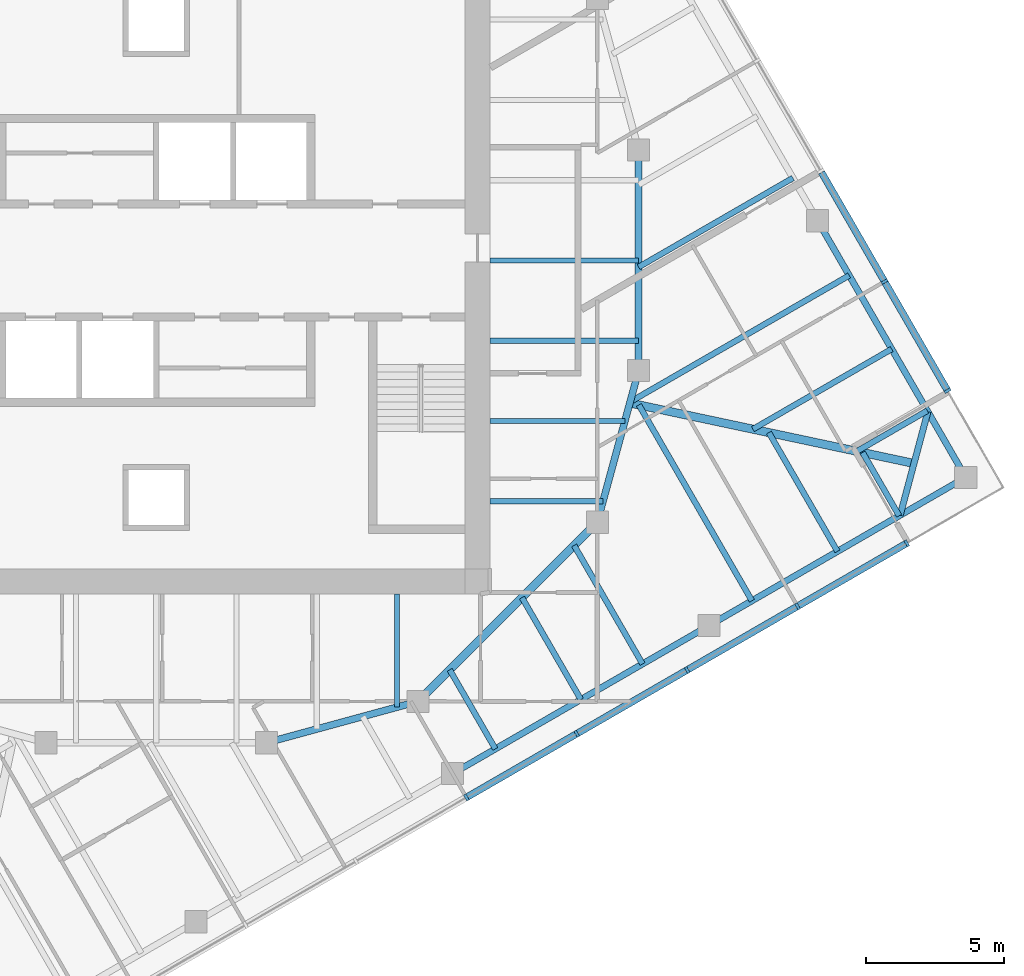
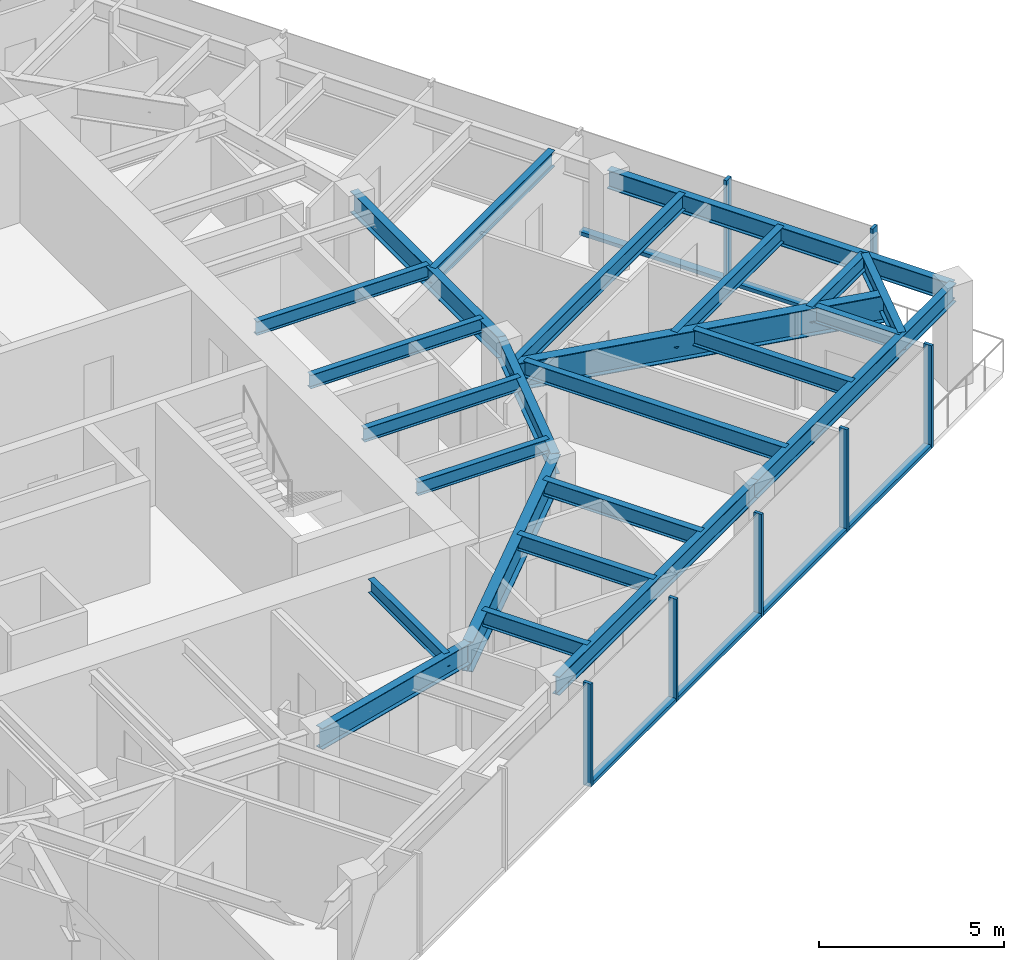
# One storey, part 3 of 12: 24 beams, 13 members, 2 elements without a shape of their own.
"""IFC4 building model written with IfcOpenShell, lengths in metres."""

from ifc_helpers import new_model, si_unit, direction, frame, origin, origin_2d, place, context, subcontext, project, spatial, rectangle, i_section, extrude, material, material_profile, profile_set, type_object, element, aggregate, save


model = new_model("IFC4")

# Units and contexts
model_context = context("Model", 3, precision=1e-05, world=origin(), true_north=direction((0.0, 1.0)))
body_context = subcontext(model_context, "Body", "Model", "MODEL_VIEW")
ifc_project = project(units=[si_unit("LENGTHUNIT", "METRE"), si_unit("AREAUNIT", "SQUARE_METRE"), si_unit("VOLUMEUNIT", "CUBIC_METRE"), si_unit("PLANEANGLEUNIT", "RADIAN"), si_unit("MASSUNIT", "GRAM", prefix="KILO")], contexts=[model_context])

# Site, building, storey
site_placement = place(None, origin())
site = spatial("IfcSite", under=ifc_project, at=site_placement, CompositionType="ELEMENT")
building_placement = place(site_placement, origin())
building = spatial("IfcBuilding", under=site, at=building_placement, Name="Torsade Residences", CompositionType="ELEMENT")
storey_placement = place(building_placement, frame((0.0, 0.0, 218.39990234375)))
storey = spatial("IfcBuildingStorey", under=building, at=storey_placement, Name="L60", CompositionType="ELEMENT", Elevation=218.39990234375)

# Beams
ifc_material_1 = material(Name="Steel grade 300", Category="steel")
ifc_material_profile_1 = material_profile(ifc_material_1, i_section(OverallWidth=0.300048828125, OverallDepth=0.89990234375, WebThickness=0.011962890625, FlangeThickness=0.02490234375, at=origin_2d()), Name="900WB175")
ifc_profile_set_1 = profile_set([ifc_material_profile_1], Name="Steel grade 300")
beam_type_1 = type_object("IfcBeamType", Name="CORNER GIRDER 900WB175", PredefinedType="BEAM", material=ifc_profile_set_1)
beam_1_placement = place(storey_placement, frame((67.4912109375, 22.6337890625, 2.800048828125), z_axis=(-0.978115155685, 0.20806427425, 0.0), x_axis=(-0.20806427425, -0.978115155685, 0.0)))
element("IfcBeam", 1, at=beam_1_placement, inside=storey, type_object=beam_type_1, Name="Corner girder 05 L61", PredefinedType="BEAM", context=body_context, shape_type="SweptSolid", body=[
    extrude(i_section(OverallWidth=0.300048828125, OverallDepth=0.89990234375, WebThickness=0.011962890625, FlangeThickness=0.02490234375, at=origin_2d()), origin(), (0.0, 0.0, 1.0), 10.541748046875),
])
ifc_material_2 = material(Name="Steel grade 300", Category="steel")
ifc_material_profile_2 = material_profile(ifc_material_2, i_section(OverallWidth=0.22802734375, OverallDepth=0.60205078125, WebThickness=0.010498046875, FlangeThickness=0.014892578125, FilletRadius=0.013916015625, at=origin_2d()), Name="610UB101")
ifc_profile_set_2 = profile_set([ifc_material_profile_2], Name="Steel grade 300")
beam_type_2 = type_object("IfcBeamType", Name="CORNER TRIMMER 610UB101", PredefinedType="BEAM", material=ifc_profile_set_2)
beam_2_placement = place(storey_placement, frame((67.99462890625, 24.511962890625, 2.94921875), z_axis=(-0.258822897619, -0.965924794002, 0.0), x_axis=(0.965924794002, -0.258822897619, 0.0)))
element("IfcBeam", 2, at=beam_2_placement, inside=storey, type_object=beam_type_2, Name="Corner trimmer 05 L61", PredefinedType="BEAM", context=body_context, shape_type="SweptSolid", body=[
    extrude(i_section(OverallWidth=0.22802734375, OverallDepth=0.60205078125, WebThickness=0.010498046875, FlangeThickness=0.014892578125, FilletRadius=0.013916015625, at=origin_2d()), origin(), (0.0, 0.0, 1.0), 3.88916015625),
])
ifc_material_3 = material(Name="Steel grade 300", Category="steel")
ifc_material_profile_3 = material_profile(ifc_material_3, i_section(OverallWidth=0.22900390625, OverallDepth=0.612060546875, WebThickness=0.011962890625, FlangeThickness=0.01953125, FilletRadius=0.013916015625, at=origin_2d()), Name="610UB125")
ifc_profile_set_3 = profile_set([ifc_material_profile_3], Name="Steel grade 300")
beam_type_3 = type_object("IfcBeamType", Name="EDGE BEAM 610UB125", PredefinedType="SPANDREL", material=ifc_profile_set_3)
for number, where, z_axis, x_axis, name in (
    (3, (50.75, 11.38037109375, 2.944091796875), (0.866026365697, 0.499998333915, 0.0), (-0.499998333915, 0.866026365697, 0.0), "Edge beam 03 L61"),
    (4, (60.059814453125, 16.75537109375, 2.944091796875), (0.866026365697, 0.499998333915, 0.0), (-0.499998333915, 0.866026365697, 0.0), "Edge beam 04 L61"),
    (5, (69.36962890625, 22.13037109375, 2.944091796875), (-0.499998333915, 0.866026365697, 0.0), (-0.866026365697, -0.499998333915, 0.0), "Edge beam 05 L61"),
):
    element("IfcBeam", number, at=place(storey_placement, frame(where, z_axis=z_axis, x_axis=x_axis)), inside=storey, type_object=beam_type_3, Name=name, PredefinedType="SPANDREL", context=body_context, shape_type="SweptSolid", body=[
        extrude(i_section(OverallWidth=0.22900390625, OverallDepth=0.612060546875, WebThickness=0.011962890625, FlangeThickness=0.01953125, FilletRadius=0.013916015625, at=origin_2d()), origin(), (0.0, 0.0, 1.0), 10.75),
    ])

# Curtain wall, members
ifc_material_4 = material(Name="Aluminium and glass", Category="aluminium")
curtain_wall_type = type_object("IfcCurtainWallType", Name="FRITTED GLASS CURTAIN WALL HIGH ZONE", PredefinedType="NOTDEFINED", material=ifc_material_4)
curtain_wall_1_placement = place(storey_placement, origin())
curtain_wall_1 = element("IfcCurtainWall", 6, at=curtain_wall_1_placement, inside=storey, type_object=curtain_wall_type, Name="Curtain wall L60 face 1", PredefinedType="NOTDEFINED")
ifc_material_5 = material(Name="Aluminium mullion", Category="aluminium")
ifc_material_profile_4 = material_profile(ifc_material_5, rectangle(XDim=0.25, YDim=0.10009765625, at=origin_2d()), Name="HIGH ZONE CURTAIN WALL MULLION 250x100")
ifc_profile_set_4 = profile_set([ifc_material_profile_4], Name="Aluminium mullion")
member_type_1 = type_object("IfcMemberType", Name="HIGH ZONE CURTAIN WALL MULLION 250x100", PredefinedType="MULLION", material=ifc_profile_set_4)
member_1_placement = place(storey_placement, frame((51.25, 10.514404296875, 0.0), z_axis=(0.0, 0.0, 1.0), x_axis=(-0.499999999305, 0.866025404186, 0.0)))
member_1 = element("IfcMember", 7, at=member_1_placement, type_object=member_type_1, Name="Mullion 5", PredefinedType="MULLION", context=body_context, shape_type="SweptSolid", body=[
    extrude(rectangle(XDim=0.25, YDim=0.10009765625, at=origin_2d()), origin(), (0.0, 0.0, 1.0), 3.400146484375),
])
member_2_placement = place(storey_placement, frame((55.25537109375, 12.826904296875, 0.0), z_axis=(0.0, 0.0, 1.0), x_axis=(-0.499999999305, 0.866025404186, 0.0)))
member_2 = element("IfcMember", 8, at=member_2_placement, type_object=member_type_1, Name="Mullion 6", PredefinedType="MULLION", context=body_context, shape_type="SweptSolid", body=[
    extrude(rectangle(XDim=0.25, YDim=0.10009765625, at=origin_2d()), origin(), (0.0, 0.0, 1.0), 3.400146484375),
])
member_3_placement = place(storey_placement, frame((59.2607421875, 15.139404296875, 0.0), z_axis=(0.0, 0.0, 1.0), x_axis=(-0.499999999305, 0.866025404186, 0.0)))
member_3 = element("IfcMember", 9, at=member_3_placement, type_object=member_type_1, Name="Mullion 7", PredefinedType="MULLION", context=body_context, shape_type="SweptSolid", body=[
    extrude(rectangle(XDim=0.25, YDim=0.10009765625, at=origin_2d()), origin(), (0.0, 0.0, 1.0), 3.400146484375),
])
member_4_placement = place(storey_placement, frame((63.26611328125, 17.451904296875, 0.0), z_axis=(0.0, 0.0, 1.0), x_axis=(-0.499999999305, 0.866025404186, 0.0)))
member_4 = element("IfcMember", 10, at=member_4_placement, type_object=member_type_1, Name="Mullion 8", PredefinedType="MULLION", context=body_context, shape_type="SweptSolid", body=[
    extrude(rectangle(XDim=0.25, YDim=0.10009765625, at=origin_2d()), origin(), (0.0, 0.0, 1.0), 3.400146484375),
])
member_5_placement = place(storey_placement, frame((67.228271484375, 19.739501953125, 0.0), z_axis=(0.0, 0.0, 1.0), x_axis=(-0.499999999305, 0.866025404186, 0.0)))
member_5 = element("IfcMember", 11, at=member_5_placement, type_object=member_type_1, Name="Mullion 9", PredefinedType="MULLION", context=body_context, shape_type="SweptSolid", body=[
    extrude(rectangle(XDim=0.25, YDim=0.10009765625, at=origin_2d()), origin(), (0.0, 0.0, 1.0), 3.400146484375),
])

curtain_wall_2_placement = place(storey_placement, origin())
curtain_wall_2 = element("IfcCurtainWall", 12, at=curtain_wall_2_placement, inside=storey, type_object=curtain_wall_type, Name="Curtain wall L60 face 4", PredefinedType="NOTDEFINED")
member_6_placement = place(storey_placement, frame((68.710693359375, 25.271728515625, 0.0), z_axis=(0.0, 0.0, 1.0), x_axis=(-0.866025404186, -0.499999999305, 0.0)))
member_6 = element("IfcMember", 13, at=member_6_placement, type_object=member_type_1, Name="Mullion 1", PredefinedType="MULLION", context=body_context, shape_type="SweptSolid", body=[
    extrude(rectangle(XDim=0.25, YDim=0.10009765625, at=origin_2d()), origin(), (0.0, 0.0, 1.0), 3.400146484375),
])
member_7_placement = place(storey_placement, frame((66.423095703125, 29.23388671875, 0.0), z_axis=(0.0, 0.0, 1.0), x_axis=(-0.866025404186, -0.499999999305, 0.0)))
member_7 = element("IfcMember", 14, at=member_7_placement, type_object=member_type_1, Name="Mullion 2", PredefinedType="MULLION", context=body_context, shape_type="SweptSolid", body=[
    extrude(rectangle(XDim=0.25, YDim=0.10009765625, at=origin_2d()), origin(), (0.0, 0.0, 1.0), 3.400146484375),
])

# Member
ifc_material_6 = material(Name="Aluminium transom", Category="aluminium")
ifc_material_profile_5 = material_profile(ifc_material_6, rectangle(XDim=0.25, YDim=0.1201171875, at=origin_2d()), Name="HIGH ZONE CURTAIN WALL TRANSOM 250x120")
ifc_profile_set_5 = profile_set([ifc_material_profile_5], Name="Aluminium transom")
member_type_2 = type_object("IfcMemberType", Name="HIGH ZONE CURTAIN WALL TRANSOM 250x120", PredefinedType="USERDEFINED", material=ifc_profile_set_5)
member_8_placement = place(storey_placement, frame((51.293212890625, 10.539306640625, 0.06005859375), z_axis=(0.866016678684, 0.500015112013, 0.0), x_axis=(-0.500015112013, 0.866016678684, 0.0)))
member_8 = element("IfcMember", 15, at=member_8_placement, type_object=member_type_2, Name="Transom 5.1", ObjectType="TRANSOM", PredefinedType="USERDEFINED", context=body_context, shape_type="SweptSolid", body=[
    extrude(rectangle(XDim=0.25, YDim=0.1201171875, at=origin_2d()), origin(), (0.0, 0.0, 1.0), 4.525146484375),
])

member_9_placement = place(storey_placement, frame((55.298583984375, 12.851806640625, 0.06005859375), z_axis=(0.866016678684, 0.500015112013, 0.0), x_axis=(-0.500015112013, 0.866016678684, 0.0)))
member_9 = element("IfcMember", 16, at=member_9_placement, type_object=member_type_2, Name="Transom 6.1", ObjectType="TRANSOM", PredefinedType="USERDEFINED", context=body_context, shape_type="SweptSolid", body=[
    extrude(rectangle(XDim=0.25, YDim=0.1201171875, at=origin_2d()), origin(), (0.0, 0.0, 1.0), 4.525146484375),
])

member_10_placement = place(storey_placement, frame((59.303955078125, 15.164306640625, 0.06005859375), z_axis=(0.866016678684, 0.500015112013, 0.0), x_axis=(-0.500015112013, 0.866016678684, 0.0)))
member_10 = element("IfcMember", 17, at=member_10_placement, type_object=member_type_2, Name="Transom 7.1", ObjectType="TRANSOM", PredefinedType="USERDEFINED", context=body_context, shape_type="SweptSolid", body=[
    extrude(rectangle(XDim=0.25, YDim=0.1201171875, at=origin_2d()), origin(), (0.0, 0.0, 1.0), 4.525146484375),
])

member_11_placement = place(storey_placement, frame((63.309326171875, 17.476806640625, 0.06005859375), z_axis=(0.866022053326, 0.50000580312, 0.0), x_axis=(-0.50000580312, 0.866022053326, 0.0)))
member_11 = element("IfcMember", 18, at=member_11_placement, type_object=member_type_2, Name="Transom 8.1", ObjectType="TRANSOM", PredefinedType="USERDEFINED", context=body_context, shape_type="SweptSolid", body=[
    extrude(rectangle(XDim=0.25, YDim=0.1201171875, at=origin_2d()), origin(), (0.0, 0.0, 1.0), 4.47509765625),
])

aggregate(curtain_wall_1, [member_1, member_2, member_3, member_4, member_5, member_8, member_9, member_10, member_11])

member_12_placement = place(storey_placement, frame((68.685546875, 25.315185546875, 0.06005859375), z_axis=(-0.50000580312, 0.866022053326, 0.0), x_axis=(-0.866022053326, -0.50000580312, 0.0)))
member_12 = element("IfcMember", 19, at=member_12_placement, type_object=member_type_2, Name="Transom 1.1", ObjectType="TRANSOM", PredefinedType="USERDEFINED", context=body_context, shape_type="SweptSolid", body=[
    extrude(rectangle(XDim=0.25, YDim=0.1201171875, at=origin_2d()), origin(), (0.0, 0.0, 1.0), 4.47509765625),
])

member_13_placement = place(storey_placement, frame((66.398193359375, 29.277099609375, 0.06005859375), z_axis=(-0.500015112013, 0.866016678684, 0.0), x_axis=(-0.866016678684, -0.500015112013, 0.0)))
member_13 = element("IfcMember", 20, at=member_13_placement, type_object=member_type_2, Name="Transom 2.1", ObjectType="TRANSOM", PredefinedType="USERDEFINED", context=body_context, shape_type="SweptSolid", body=[
    extrude(rectangle(XDim=0.25, YDim=0.1201171875, at=origin_2d()), origin(), (0.0, 0.0, 1.0), 4.525146484375),
])

aggregate(curtain_wall_2, [member_6, member_7, member_12, member_13])

# Beams
ifc_material_7 = material(Name="Steel grade 300", Category="steel")
ifc_material_profile_6 = material_profile(ifc_material_7, i_section(OverallWidth=0.18994140625, OverallDepth=0.4541015625, WebThickness=0.008544921875, FlangeThickness=0.0126953125, FilletRadius=0.011474609375, at=origin_2d()), Name="460UB67.1")
ifc_profile_set_6 = profile_set([ifc_material_profile_6], Name="Steel grade 300")
beam_type_4 = type_object("IfcBeamType", Name="INNER FLOOR BEAM 460UB67.1", PredefinedType="JOIST", material=ifc_profile_set_6)
for number, where, z_axis, x_axis, name in (
    (21, (48.737548828125, 17.89990234375, 3.023193359375), (0.0, -1.0, 0.0), (1.0, 0.0, 0.0), "Inner floor beam IS01 L61"),
    (22, (52.10009765625, 21.262451171875, 3.023193359375), (1.0, 0.0, 0.0), (0.0, 1.0, 0.0), "Inner floor beam IE01 L61"),
):
    element("IfcBeam", number, at=place(storey_placement, frame(where, z_axis=z_axis, x_axis=x_axis)), inside=storey, type_object=beam_type_4, Name=name, PredefinedType="JOIST", context=body_context, shape_type="SweptSolid", body=[
        extrude(i_section(OverallWidth=0.18994140625, OverallDepth=0.4541015625, WebThickness=0.008544921875, FlangeThickness=0.0126953125, FilletRadius=0.011474609375, at=origin_2d()), origin(), (0.0, 0.0, 1.0), 4.10791015625),
    ])
beam_3_placement = place(storey_placement, frame((52.10009765625, 24.175048828125, 3.023193359375), z_axis=(1.0, 0.0, 0.0), x_axis=(0.0, 1.0, 0.0)))
element("IfcBeam", 23, at=beam_3_placement, inside=storey, type_object=beam_type_4, Name="Inner floor beam IE02 L61", PredefinedType="JOIST", context=body_context, shape_type="SweptSolid", body=[
    extrude(i_section(OverallWidth=0.18994140625, OverallDepth=0.4541015625, WebThickness=0.008544921875, FlangeThickness=0.0126953125, FilletRadius=0.011474609375, at=origin_2d()), origin(), (0.0, 0.0, 1.0), 4.902099609375),
])
for number, where, z_axis, x_axis, name in (
    (24, (52.10009765625, 27.08740234375, 3.023193359375), (1.0, 0.0, 0.0), (0.0, 1.0, 0.0), "Inner floor beam IE03 L61"),
    (25, (52.10009765625, 30.0, 3.023193359375), (1.0, 0.0, 0.0), (0.0, 1.0, 0.0), "Inner floor beam IE04 L61"),
):
    element("IfcBeam", number, at=place(storey_placement, frame(where, z_axis=z_axis, x_axis=x_axis)), inside=storey, type_object=beam_type_4, Name=name, PredefinedType="JOIST", context=body_context, shape_type="SweptSolid", body=[
        extrude(i_section(OverallWidth=0.18994140625, OverallDepth=0.4541015625, WebThickness=0.008544921875, FlangeThickness=0.0126953125, FilletRadius=0.011474609375, at=origin_2d()), origin(), (0.0, 0.0, 1.0), 5.39990234375),
    ])
ifc_material_8 = material(Name="Steel grade 300", Category="steel")
ifc_material_profile_7 = material_profile(ifc_material_8, i_section(OverallWidth=0.300048828125, OverallDepth=1.0, WebThickness=0.01611328125, FlangeThickness=0.028076171875, at=origin_2d()), Name="1000WB215")
ifc_profile_set_7 = profile_set([ifc_material_profile_7], Name="Steel grade 300")
beam_type_5 = type_object("IfcBeamType", Name="RING CORNER GIRDER 1000WB215", PredefinedType="BEAM", material=ifc_profile_set_7)
beam_4_placement = place(storey_placement, frame((49.5, 14.0, 2.75), z_axis=(0.707106781187, 0.707106781187, 0.0), x_axis=(-0.707106781187, 0.707106781187, 0.0)))
element("IfcBeam", 26, at=beam_4_placement, inside=storey, type_object=beam_type_5, Name="Ring girder IR15 L61", PredefinedType="BEAM", context=body_context, shape_type="SweptSolid", body=[
    extrude(i_section(OverallWidth=0.300048828125, OverallDepth=1.0, WebThickness=0.01611328125, FlangeThickness=0.028076171875, at=origin_2d()), origin(), (0.0, 0.0, 1.0), 9.1923828125),
])
ifc_material_9 = material(Name="Steel grade 300", Category="steel")
ifc_material_profile_8 = material_profile(ifc_material_9, i_section(OverallWidth=0.25, OverallDepth=0.699951171875, WebThickness=0.010009765625, FlangeThickness=0.02001953125, at=origin_2d()), Name="700WB130")
ifc_profile_set_8 = profile_set([ifc_material_profile_8], Name="Steel grade 300")
beam_type_6 = type_object("IfcBeamType", Name="RING GIRDER 700WB130", PredefinedType="BEAM", material=ifc_profile_set_8)
beam_5_placement = place(storey_placement, frame((57.5, 26.0, 2.900146484375), z_axis=(0.0, 1.0, 0.0), x_axis=(-1.0, 0.0, 0.0)))
element("IfcBeam", 27, at=beam_5_placement, inside=storey, type_object=beam_type_6, Name="Ring girder IR01 L61", PredefinedType="BEAM", context=body_context, shape_type="SweptSolid", body=[
    extrude(i_section(OverallWidth=0.25, OverallDepth=0.699951171875, WebThickness=0.010009765625, FlangeThickness=0.02001953125, at=origin_2d()), origin(), (0.0, 0.0, 1.0), 8.0),
])
for number, where, z_axis, x_axis, name in (
    (28, (44.0, 12.5, 2.900146484375), (0.964763821238, 0.263117405792, 0.0), (-0.263117405792, 0.964763821238, 0.0), "Ring girder IR14 L61"),
    (29, (56.0, 20.5, 2.900146484375), (0.263117405792, 0.964763821238, 0.0), (-0.964763821238, 0.263117405792, 0.0), "Ring girder IR16 L61"),
):
    element("IfcBeam", number, at=place(storey_placement, frame(where, z_axis=z_axis, x_axis=x_axis)), inside=storey, type_object=beam_type_6, Name=name, PredefinedType="BEAM", context=body_context, shape_type="SweptSolid", body=[
        extrude(i_section(OverallWidth=0.25, OverallDepth=0.699951171875, WebThickness=0.010009765625, FlangeThickness=0.02001953125, at=origin_2d()), origin(), (0.0, 0.0, 1.0), 5.700927734375),
    ])
ifc_material_10 = material(Name="Steel grade 300", Category="steel")
ifc_material_profile_9 = material_profile(ifc_material_10, i_section(OverallWidth=0.208984375, OverallDepth=0.528076171875, WebThickness=0.009521484375, FlangeThickness=0.01318359375, FilletRadius=0.013916015625, at=origin_2d()), Name="530UB82.0")
ifc_profile_set_9 = profile_set([ifc_material_profile_9], Name="Steel grade 300")
beam_type_7 = type_object("IfcBeamType", Name="SECONDARY BEAM 530UB82.0", PredefinedType="JOIST", material=ifc_profile_set_9)
beam_6_placement = place(storey_placement, frame((52.301513671875, 12.2763671875, 2.986083984375), z_axis=(-0.499975512502, 0.866039541186, 0.0), x_axis=(-0.866039541186, -0.499975512502, 0.0)))
element("IfcBeam", 30, at=beam_6_placement, inside=storey, type_object=beam_type_7, Name="Floor beam FS07 L61", PredefinedType="JOIST", context=body_context, shape_type="SweptSolid", body=[
    extrude(i_section(OverallWidth=0.208984375, OverallDepth=0.528076171875, WebThickness=0.009521484375, FlangeThickness=0.01318359375, FilletRadius=0.013916015625, at=origin_2d()), origin(), (0.0, 0.0, 1.0), 3.312744140625),
])
beam_7_placement = place(storey_placement, frame((55.40478515625, 14.06787109375, 2.986083984375), z_axis=(-0.500004369671, 0.866022880939, 0.0), x_axis=(-0.866022880939, -0.500004369671, 0.0)))
element("IfcBeam", 31, at=beam_7_placement, inside=storey, type_object=beam_type_7, Name="Floor beam FS08 L61", PredefinedType="JOIST", context=body_context, shape_type="SweptSolid", body=[
    extrude(i_section(OverallWidth=0.208984375, OverallDepth=0.528076171875, WebThickness=0.009521484375, FlangeThickness=0.01318359375, FilletRadius=0.013916015625, at=origin_2d()), origin(), (0.0, 0.0, 1.0), 4.27294921875),
])
beam_8_placement = place(storey_placement, frame((57.64208984375, 15.359619140625, 2.986083984375), z_axis=(-0.49996790502, 0.866043933037, 0.0), x_axis=(-0.866043933037, -0.49996790502, 0.0)))
element("IfcBeam", 32, at=beam_8_placement, inside=storey, type_object=beam_type_7, Name="Floor beam FS09 L61", PredefinedType="JOIST", context=body_context, shape_type="SweptSolid", body=[
    extrude(i_section(OverallWidth=0.208984375, OverallDepth=0.528076171875, WebThickness=0.009521484375, FlangeThickness=0.01318359375, FilletRadius=0.013916015625, at=origin_2d()), origin(), (0.0, 0.0, 1.0), 4.965087890625),
])
beam_9_placement = place(storey_placement, frame((61.611328125, 17.6513671875, 2.986083984375), z_axis=(-0.499992034702, 0.866030002502, 0.0), x_axis=(-0.866030002502, -0.499992034702, 0.0)))
element("IfcBeam", 33, at=beam_9_placement, inside=storey, type_object=beam_type_7, Name="Floor beam FS10 L61", PredefinedType="JOIST", context=body_context, shape_type="SweptSolid", body=[
    extrude(i_section(OverallWidth=0.208984375, OverallDepth=0.528076171875, WebThickness=0.009521484375, FlangeThickness=0.01318359375, FilletRadius=0.013916015625, at=origin_2d()), origin(), (0.0, 0.0, 1.0), 8.205322265625),
])
beam_10_placement = place(storey_placement, frame((64.714599609375, 19.44287109375, 2.986083984375), z_axis=(-0.499968694491, 0.866043477274, 0.0), x_axis=(-0.866043477274, -0.499968694491, 0.0)))
element("IfcBeam", 34, at=beam_10_placement, inside=storey, type_object=beam_type_7, Name="Floor beam FS11 L61", PredefinedType="JOIST", context=body_context, shape_type="SweptSolid", body=[
    extrude(i_section(OverallWidth=0.208984375, OverallDepth=0.528076171875, WebThickness=0.009521484375, FlangeThickness=0.01318359375, FilletRadius=0.013916015625, at=origin_2d()), origin(), (0.0, 0.0, 1.0), 4.977783203125),
])
beam_11_placement = place(storey_placement, frame((66.951904296875, 20.734619140625, 2.986083984375), z_axis=(-0.499972238474, 0.866041431316, 0.0), x_axis=(-0.866041431316, -0.499972238474, 0.0)))
element("IfcBeam", 35, at=beam_11_placement, inside=storey, type_object=beam_type_7, Name="Floor beam FS12 L61", PredefinedType="JOIST", context=body_context, shape_type="SweptSolid", body=[
    extrude(i_section(OverallWidth=0.208984375, OverallDepth=0.528076171875, WebThickness=0.009521484375, FlangeThickness=0.01318359375, FilletRadius=0.013916015625, at=origin_2d()), origin(), (0.0, 0.0, 1.0), 2.651123046875),
])
beam_12_placement = place(storey_placement, frame((67.9736328125, 24.548095703125, 2.986083984375), z_axis=(-0.866017313224, -0.500014013, 0.0), x_axis=(0.500014013, -0.866017313224, 0.0)))
element("IfcBeam", 36, at=beam_12_placement, inside=storey, type_object=beam_type_7, Name="Floor beam FE01 L61", PredefinedType="JOIST", context=body_context, shape_type="SweptSolid", body=[
    extrude(i_section(OverallWidth=0.208984375, OverallDepth=0.528076171875, WebThickness=0.009521484375, FlangeThickness=0.01318359375, FilletRadius=0.013916015625, at=origin_2d()), origin(), (0.0, 0.0, 1.0), 2.94775390625),
])
beam_13_placement = place(storey_placement, frame((66.68212890625, 26.785400390625, 2.986083984375), z_axis=(-0.866031100357, -0.499990133118, 0.0), x_axis=(0.499990133118, -0.866031100357, 0.0)))
element("IfcBeam", 37, at=beam_13_placement, inside=storey, type_object=beam_type_7, Name="Floor beam FE02 L61", PredefinedType="JOIST", context=body_context, shape_type="SweptSolid", body=[
    extrude(i_section(OverallWidth=0.208984375, OverallDepth=0.528076171875, WebThickness=0.009521484375, FlangeThickness=0.01318359375, FilletRadius=0.013916015625, at=origin_2d()), origin(), (0.0, 0.0, 1.0), 5.81591796875),
])
beam_14_placement = place(storey_placement, frame((65.140380859375, 29.45556640625, 2.986083984375), z_axis=(-0.866021712342, -0.500006393711, 0.0), x_axis=(0.500006393711, -0.866021712342, 0.0)))
element("IfcBeam", 38, at=beam_14_placement, inside=storey, type_object=beam_type_7, Name="Floor beam FE03 L61", PredefinedType="JOIST", context=body_context, shape_type="SweptSolid", body=[
    extrude(i_section(OverallWidth=0.208984375, OverallDepth=0.528076171875, WebThickness=0.009521484375, FlangeThickness=0.01318359375, FilletRadius=0.013916015625, at=origin_2d()), origin(), (0.0, 0.0, 1.0), 9.1796875),
])
beam_15_placement = place(storey_placement, frame((63.0986328125, 32.991943359375, 2.986083984375), z_axis=(-0.866022073929, -0.500005767435, 0.0), x_axis=(0.500005767435, -0.866022073929, 0.0)))
element("IfcBeam", 39, at=beam_15_placement, inside=storey, type_object=beam_type_7, Name="Floor beam FE04 L61", PredefinedType="JOIST", context=body_context, shape_type="SweptSolid", body=[
    extrude(i_section(OverallWidth=0.208984375, OverallDepth=0.528076171875, WebThickness=0.009521484375, FlangeThickness=0.01318359375, FilletRadius=0.013916015625, at=origin_2d()), origin(), (0.0, 0.0, 1.0), 6.46484375),
])

save(model, "model.ifc")
